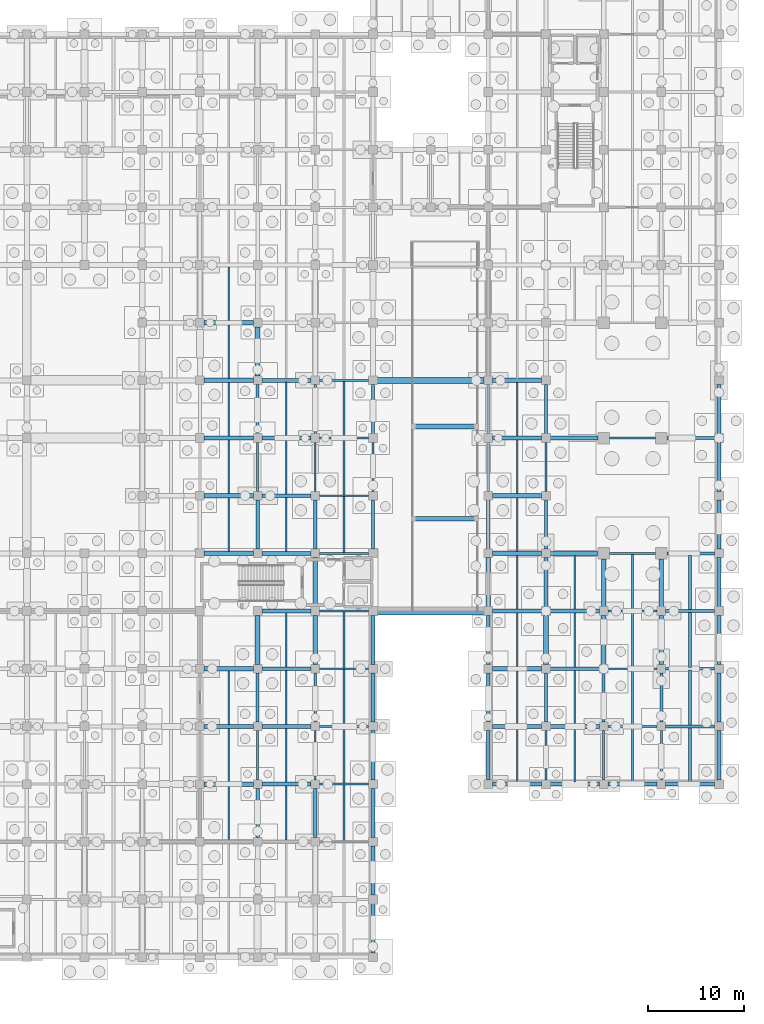
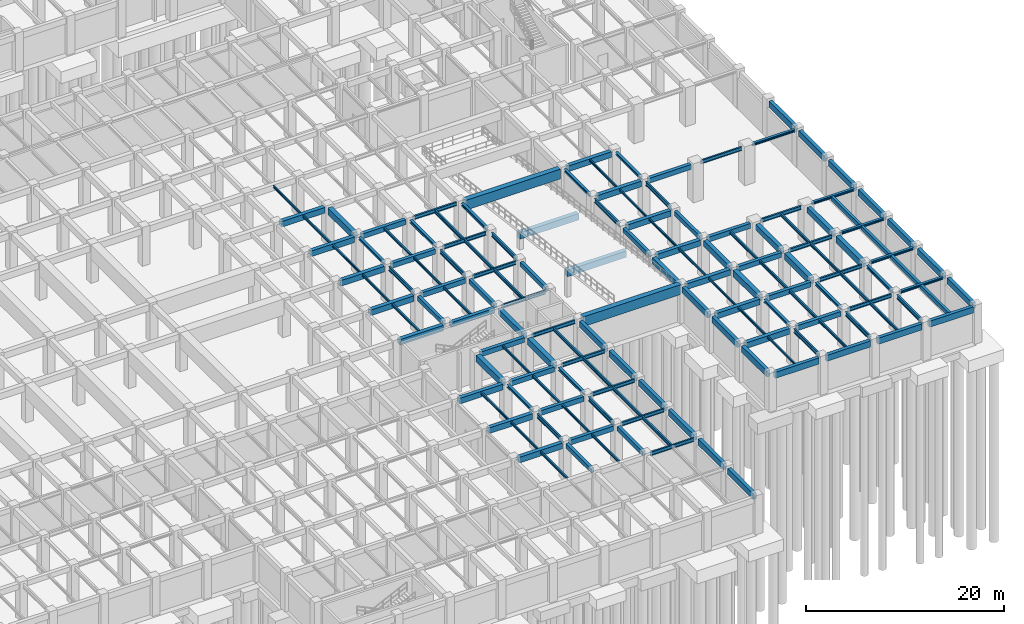
# One storey, part 34 of 54: 150 beams.
"""IFC4 building model written with IfcOpenShell, lengths in metres."""

from ifc_helpers import new_model, si_unit, direction, frame, origin, origin_2d, place, context, subcontext, project, spatial, rectangle, i_section, extrude, material, material_profile, profile_set, type_object, element, save


model = new_model("IFC4")

# Units and contexts
model_context = context("Model", 3, precision=1e-05, world=origin(), true_north=direction((0.0, 1.0)))
body_context = subcontext(model_context, "Body", "Model", "MODEL_VIEW")
ifc_project = project(units=[si_unit("LENGTHUNIT", "METRE"), si_unit("AREAUNIT", "SQUARE_METRE"), si_unit("VOLUMEUNIT", "CUBIC_METRE"), si_unit("PLANEANGLEUNIT", "RADIAN"), si_unit("MASSUNIT", "GRAM", prefix="KILO"), si_unit("THERMODYNAMICTEMPERATUREUNIT", "KELVIN"), si_unit("POWERUNIT", "WATT")], contexts=[model_context])

# Site, building, storey
site_placement = place(None, origin())
site = spatial("IfcSite", under=ifc_project, at=site_placement, CompositionType="ELEMENT")
building_placement = place(site_placement, origin())
building = spatial("IfcBuilding", under=site, at=building_placement, Name="Phaisarnlok Congress Hotel", CompositionType="ELEMENT")
storey_placement = place(building_placement, frame((0.0, 0.0, -4.800048828125)))
storey = spatial("IfcBuildingStorey", under=building, at=storey_placement, Name="B01", CompositionType="ELEMENT", Elevation=-4.800048828125)

# Beams
ifc_material_1 = material(Name="Concrete C40/50", Category="concrete")
ifc_material_profile_1 = material_profile(ifc_material_1, rectangle(XDim=0.35009765625, YDim=0.550048828125, at=origin_2d()), Name="RC 350x550")
ifc_profile_set_1 = profile_set([ifc_material_profile_1], Name="Concrete C40/50")
beam_type_1 = type_object("IfcBeamType", Name="BM-RC-350x550", PredefinedType="BEAM", material=ifc_profile_set_1)
for number, where, z_axis, x_axis, name in (
    (1, (132.0, 12.445068359375, 4.22509765625), (0.0, 1.0, 0.0), (-1.0, 0.0, 0.0), "Beam B-01"),
    (2, (132.0, 42.445068359375, 4.22509765625), (0.0, 1.0, 0.0), (-1.0, 0.0, 0.0), "Beam B-01"),
    (3, (138.0, 12.445068359375, 4.22509765625), (0.0, 1.0, 0.0), (-1.0, 0.0, 0.0), "Beam B-01"),
    (4, (138.0, 42.445068359375, 4.22509765625), (0.0, 1.0, 0.0), (-1.0, 0.0, 0.0), "Beam B-01"),
    (5, (144.0, 42.445068359375, 4.22509765625), (0.0, 1.0, 0.0), (-1.0, 0.0, 0.0), "Beam B-01"),
    (6, (156.0, 42.445068359375, 4.22509765625), (0.0, 1.0, 0.0), (-1.0, 0.0, 0.0), "Beam B-01"),
    (7, (162.0, 42.445068359375, 4.22509765625), (0.0, 1.0, 0.0), (-1.0, 0.0, 0.0), "Beam B-01"),
):
    element("IfcBeam", number, at=place(storey_placement, frame(where, z_axis=z_axis, x_axis=x_axis)), inside=storey, type_object=beam_type_1, Name=name, PredefinedType="BEAM", context=body_context, shape_type="SweptSolid", body=[
        extrude(rectangle(XDim=0.35009765625, YDim=0.550048828125, at=origin_2d()), origin(), (0.0, 0.0, 1.0), 5.10986328125),
    ])
ifc_material_profile_2 = material_profile(ifc_material_1, rectangle(XDim=0.39990234375, YDim=0.60009765625, at=origin_2d()), Name="RC 400x600")
ifc_profile_set_2 = profile_set([ifc_material_profile_2], Name="Concrete C40/50")
beam_type_2 = type_object("IfcBeamType", Name="BM-RC-400x600", PredefinedType="BEAM", material=ifc_profile_set_2)
for number, where, z_axis, x_axis, name in (
    (8, (132.445068359375, 18.0, 4.199951171875), (1.0, 0.0, 0.0), (0.0, 1.0, 0.0), "Beam B-02"),
    (9, (132.445068359375, 24.0, 4.199951171875), (1.0, 0.0, 0.0), (0.0, 1.0, 0.0), "Beam B-02"),
    (10, (132.445068359375, 30.0, 4.199951171875), (1.0, 0.0, 0.0), (0.0, 1.0, 0.0), "Beam B-02"),
    (11, (132.445068359375, 36.0, 4.199951171875), (1.0, 0.0, 0.0), (0.0, 1.0, 0.0), "Beam B-02"),
    (12, (132.445068359375, 42.0, 4.199951171875), (1.0, 0.0, 0.0), (0.0, 1.0, 0.0), "Beam B-02"),
    (13, (132.445068359375, 48.0, 4.199951171875), (1.0, 0.0, 0.0), (0.0, 1.0, 0.0), "Beam B-02"),
    (14, (132.445068359375, 54.0, 4.199951171875), (1.0, 0.0, 0.0), (0.0, 1.0, 0.0), "Beam B-02"),
    (15, (132.445068359375, 60.0, 4.199951171875), (1.0, 0.0, 0.0), (0.0, 1.0, 0.0), "Beam B-02"),
    (16, (162.445068359375, 24.0, 4.199951171875), (1.0, 0.0, 0.0), (0.0, 1.0, 0.0), "Beam B-02"),
    (17, (162.445068359375, 30.0, 4.199951171875), (1.0, 0.0, 0.0), (0.0, 1.0, 0.0), "Beam B-02"),
    (18, (162.445068359375, 36.0, 4.199951171875), (1.0, 0.0, 0.0), (0.0, 1.0, 0.0), "Beam B-02"),
):
    element("IfcBeam", number, at=place(storey_placement, frame(where, z_axis=z_axis, x_axis=x_axis)), inside=storey, type_object=beam_type_2, Name=name, PredefinedType="BEAM", context=body_context, shape_type="SweptSolid", body=[
        extrude(rectangle(XDim=0.39990234375, YDim=0.60009765625, at=origin_2d()), origin(), (0.0, 0.0, 1.0), 5.10986328125),
    ])
for number, where, z_axis, x_axis, name in (
    (19, (162.445068359375, 42.0, 4.199951171875), (1.0, 0.0, 0.0), (0.0, 1.0, 0.0), "Beam B-02"),
    (20, (162.445068359375, 54.0, 4.199951171875), (1.0, 0.0, 0.0), (0.0, 1.0, 0.0), "Beam B-02"),
):
    element("IfcBeam", number, at=place(storey_placement, frame(where, z_axis=z_axis, x_axis=x_axis)), inside=storey, type_object=beam_type_2, Name=name, PredefinedType="BEAM", context=body_context, shape_type="SweptSolid", body=[
        extrude(rectangle(XDim=0.39990234375, YDim=0.60009765625, at=origin_2d()), origin(), (0.0, 0.0, 1.0), 4.9599609375),
    ])
ifc_material_profile_3 = material_profile(ifc_material_1, rectangle(XDim=0.449951171875, YDim=0.699951171875, at=origin_2d()), Name="RC 450x700")
ifc_profile_set_3 = profile_set([ifc_material_profile_3], Name="Concrete C40/50")
beam_type_3 = type_object("IfcBeamType", Name="BM-RC-450x700", PredefinedType="BEAM", material=ifc_profile_set_3)
for number, where, z_axis, x_axis, name in (
    (21, (126.445068359375, 18.0, 4.150146484375), (1.0, 0.0, 0.0), (0.0, 1.0, 0.0), "Beam B-03"),
    (22, (126.445068359375, 24.0, 4.150146484375), (1.0, 0.0, 0.0), (0.0, 1.0, 0.0), "Beam B-03"),
    (23, (126.445068359375, 30.0, 4.150146484375), (1.0, 0.0, 0.0), (0.0, 1.0, 0.0), "Beam B-03"),
    (24, (126.445068359375, 42.0, 4.150146484375), (1.0, 0.0, 0.0), (0.0, 1.0, 0.0), "Beam B-03"),
    (25, (126.445068359375, 48.0, 4.150146484375), (1.0, 0.0, 0.0), (0.0, 1.0, 0.0), "Beam B-03"),
    (26, (126.445068359375, 54.0, 4.150146484375), (1.0, 0.0, 0.0), (0.0, 1.0, 0.0), "Beam B-03"),
    (27, (126.445068359375, 60.0, 4.150146484375), (1.0, 0.0, 0.0), (0.0, 1.0, 0.0), "Beam B-03"),
    (28, (126.445068359375, 66.0, 4.150146484375), (1.0, 0.0, 0.0), (0.0, 1.0, 0.0), "Beam B-03"),
    (29, (138.0, 36.445068359375, 4.150146484375), (0.0, 1.0, 0.0), (-1.0, 0.0, 0.0), "Beam B-03"),
    (30, (156.445068359375, 24.0, 4.150146484375), (1.0, 0.0, 0.0), (0.0, 1.0, 0.0), "Beam B-03"),
    (31, (156.445068359375, 30.0, 4.150146484375), (1.0, 0.0, 0.0), (0.0, 1.0, 0.0), "Beam B-03"),
    (32, (156.445068359375, 36.0, 4.150146484375), (1.0, 0.0, 0.0), (0.0, 1.0, 0.0), "Beam B-03"),
    (33, (156.0, 36.445068359375, 4.150146484375), (0.0, 1.0, 0.0), (-1.0, 0.0, 0.0), "Beam B-03"),
    (34, (156.445068359375, 42.0, 4.150146484375), (1.0, 0.0, 0.0), (0.0, 1.0, 0.0), "Beam B-03"),
    (35, (156.445068359375, 48.0, 4.150146484375), (1.0, 0.0, 0.0), (0.0, 1.0, 0.0), "Beam B-03"),
    (36, (156.445068359375, 54.0, 4.150146484375), (1.0, 0.0, 0.0), (0.0, 1.0, 0.0), "Beam B-03"),
    (37, (156.445068359375, 60.0, 4.150146484375), (1.0, 0.0, 0.0), (0.0, 1.0, 0.0), "Beam B-03"),
    (38, (162.0, 36.445068359375, 4.150146484375), (0.0, 1.0, 0.0), (-1.0, 0.0, 0.0), "Beam B-03"),
):
    element("IfcBeam", number, at=place(storey_placement, frame(where, z_axis=z_axis, x_axis=x_axis)), inside=storey, type_object=beam_type_3, Name=name, PredefinedType="BEAM", context=body_context, shape_type="SweptSolid", body=[
        extrude(rectangle(XDim=0.449951171875, YDim=0.699951171875, at=origin_2d()), origin(), (0.0, 0.0, 1.0), 5.10986328125),
    ])
for number, where, z_axis, x_axis, name in (
    (39, (168.0, 36.445068359375, 4.150146484375), (0.0, 1.0, 0.0), (-1.0, 0.0, 0.0), "Beam B-03"),
    (40, (174.0, 36.445068359375, 4.150146484375), (0.0, 1.0, 0.0), (-1.0, 0.0, 0.0), "Beam B-03"),
):
    element("IfcBeam", number, at=place(storey_placement, frame(where, z_axis=z_axis, x_axis=x_axis)), inside=storey, type_object=beam_type_3, Name=name, PredefinedType="BEAM", context=body_context, shape_type="SweptSolid", body=[
        extrude(rectangle(XDim=0.449951171875, YDim=0.699951171875, at=origin_2d()), origin(), (0.0, 0.0, 1.0), 4.9599609375),
    ])
ifc_material_profile_4 = material_profile(ifc_material_1, rectangle(XDim=0.5, YDim=0.800048828125, at=origin_2d()), Name="RC 500x800")
ifc_profile_set_4 = profile_set([ifc_material_profile_4], Name="Concrete C40/50")
beam_type_4 = type_object("IfcBeamType", Name="BM-RC-500x800", PredefinedType="BEAM", material=ifc_profile_set_4)
for number, where, z_axis, x_axis, name in (
    (41, (148.050048828125, 55.199951171875, 1.719970703125), (1.0, 0.0, 0.0), (0.0, 1.0, 0.0), "Vehicle ramp transverse support girder B-04"),
    (42, (148.050048828125, 45.60009765625, 2.920166015625), (1.0, 0.0, 0.0), (0.0, 1.0, 0.0), "Vehicle ramp transverse support girder B-04"),
):
    element("IfcBeam", number, at=place(storey_placement, frame(where, z_axis=z_axis, x_axis=x_axis)), inside=storey, type_object=beam_type_4, Name=name, PredefinedType="BEAM", context=body_context, shape_type="SweptSolid", body=[
        extrude(rectangle(XDim=0.5, YDim=0.800048828125, at=origin_2d()), origin(), (0.0, 0.0, 1.0), 6.89990234375),
    ])
for number, where, z_axis, x_axis, name in (
    (43, (132.0, 30.445068359375, 4.10009765625), (0.0, 1.0, 0.0), (-1.0, 0.0, 0.0), "Beam B-04"),
    (44, (132.0, 60.445068359375, 4.10009765625), (0.0, 1.0, 0.0), (-1.0, 0.0, 0.0), "Beam B-04"),
    (45, (138.0, 30.445068359375, 4.10009765625), (0.0, 1.0, 0.0), (-1.0, 0.0, 0.0), "Beam B-04"),
    (46, (162.0, 30.445068359375, 4.10009765625), (0.0, 1.0, 0.0), (-1.0, 0.0, 0.0), "Beam B-04"),
    (47, (168.0, 30.445068359375, 4.10009765625), (0.0, 1.0, 0.0), (-1.0, 0.0, 0.0), "Beam B-04"),
    (48, (174.0, 30.445068359375, 4.10009765625), (0.0, 1.0, 0.0), (-1.0, 0.0, 0.0), "Beam B-04"),
):
    element("IfcBeam", number, at=place(storey_placement, frame(where, z_axis=z_axis, x_axis=x_axis)), inside=storey, type_object=beam_type_4, Name=name, PredefinedType="BEAM", context=body_context, shape_type="SweptSolid", body=[
        extrude(rectangle(XDim=0.5, YDim=0.800048828125, at=origin_2d()), origin(), (0.0, 0.0, 1.0), 5.10986328125),
    ])
ifc_material_2 = material(Name="Concrete C50/60", Category="concrete")
ifc_material_profile_5 = material_profile(ifc_material_2, rectangle(XDim=0.60009765625, YDim=1.199951171875, at=origin_2d()), Name="RC 600x1200")
ifc_profile_set_5 = profile_set([ifc_material_profile_5], Name="Concrete C50/60")
beam_type_5 = type_object("IfcBeamType", Name="BM-RC-600x1200", PredefinedType="BEAM", material=ifc_profile_set_5)
beam_1_placement = place(storey_placement, frame((144.445068359375, 60.0, 3.900146484375), z_axis=(1.0, 0.0, 0.0), x_axis=(0.0, 1.0, 0.0)))
element("IfcBeam", 49, at=beam_1_placement, inside=storey, type_object=beam_type_5, Name="Ramp bay 12m girder B-06", PredefinedType="BEAM", context=body_context, shape_type="SweptSolid", body=[
    extrude(rectangle(XDim=0.60009765625, YDim=1.199951171875, at=origin_2d()), origin(), (0.0, 0.0, 1.0), 11.10986328125),
])
beam_2_placement = place(storey_placement, frame((144.300048828125, 35.89990234375, 4.199951171875), z_axis=(1.0, 0.0, 0.0), x_axis=(0.0, 1.0, 0.0)))
element("IfcBeam", 50, at=beam_2_placement, inside=storey, type_object=beam_type_5, Name="Vehicle ramp top header girder B-06", PredefinedType="BEAM", context=body_context, shape_type="SweptSolid", body=[
    extrude(rectangle(XDim=0.60009765625, YDim=1.199951171875, at=origin_2d()), origin(), (0.0, 0.0, 1.0), 11.39990234375),
])
ifc_material_3 = material(Name="Steel S355", Category="steel")
ifc_material_profile_6 = material_profile(ifc_material_3, i_section(OverallWidth=0.300048828125, OverallDepth=0.2900390625, WebThickness=0.008544921875, FlangeThickness=0.013916015625, FilletRadius=0.027099609375, at=origin_2d()), Name="HEA 300")
ifc_profile_set_6 = profile_set([ifc_material_profile_6], Name="Steel S355")
beam_type_6 = type_object("IfcBeamType", Name="BM-STL-HEA300", PredefinedType="BEAM", material=ifc_profile_set_6)
for number, where, z_axis, x_axis, name in (
    (51, (174.445068359375, 24.0, 4.35498046875), (1.0, 0.0, 0.0), (0.0, 1.0, 0.0), "Beam SB-05"),
    (52, (174.445068359375, 30.0, 4.35498046875), (1.0, 0.0, 0.0), (0.0, 1.0, 0.0), "Beam SB-05"),
    (53, (174.445068359375, 36.0, 4.35498046875), (1.0, 0.0, 0.0), (0.0, 1.0, 0.0), "Beam SB-05"),
):
    element("IfcBeam", number, at=place(storey_placement, frame(where, z_axis=z_axis, x_axis=x_axis)), inside=storey, type_object=beam_type_6, Name=name, PredefinedType="BEAM", context=body_context, shape_type="SweptSolid", body=[
        extrude(i_section(OverallWidth=0.300048828125, OverallDepth=0.2900390625, WebThickness=0.008544921875, FlangeThickness=0.013916015625, FilletRadius=0.027099609375, at=origin_2d()), origin(), (0.0, 0.0, 1.0), 5.10986328125),
    ])
for number, where, z_axis, x_axis, name in (
    (54, (174.594970703125, 42.0, 4.35498046875), (1.0, 0.0, 0.0), (0.0, 1.0, 0.0), "Beam SB-05"),
    (55, (174.594970703125, 54.0, 4.35498046875), (1.0, 0.0, 0.0), (0.0, 1.0, 0.0), "Beam SB-05"),
):
    element("IfcBeam", number, at=place(storey_placement, frame(where, z_axis=z_axis, x_axis=x_axis)), inside=storey, type_object=beam_type_6, Name=name, PredefinedType="BEAM", context=body_context, shape_type="SweptSolid", body=[
        extrude(i_section(OverallWidth=0.300048828125, OverallDepth=0.2900390625, WebThickness=0.008544921875, FlangeThickness=0.013916015625, FilletRadius=0.027099609375, at=origin_2d()), origin(), (0.0, 0.0, 1.0), 4.9599609375),
    ])
ifc_material_profile_7 = material_profile(ifc_material_3, i_section(OverallWidth=0.300048828125, OverallDepth=0.340087890625, WebThickness=0.011962890625, FlangeThickness=0.021484375, FilletRadius=0.027099609375, at=origin_2d()), Name="HEB 340")
ifc_profile_set_7 = profile_set([ifc_material_profile_7], Name="Steel S355")
beam_type_7 = type_object("IfcBeamType", Name="BM-STL-HEB340", PredefinedType="BEAM", material=ifc_profile_set_7)
for number, where, z_axis, x_axis, name in (
    (56, (132.0, 24.445068359375, 4.330078125), (0.0, 1.0, 0.0), (-1.0, 0.0, 0.0), "Beam SB-07"),
    (57, (132.0, 54.445068359375, 4.330078125), (0.0, 1.0, 0.0), (-1.0, 0.0, 0.0), "Beam SB-07"),
    (58, (138.0, 24.445068359375, 4.330078125), (0.0, 1.0, 0.0), (-1.0, 0.0, 0.0), "Beam SB-07"),
    (59, (138.0, 54.445068359375, 4.330078125), (0.0, 1.0, 0.0), (-1.0, 0.0, 0.0), "Beam SB-07"),
    (60, (144.0, 54.445068359375, 4.330078125), (0.0, 1.0, 0.0), (-1.0, 0.0, 0.0), "Beam SB-07"),
    (61, (156.0, 54.445068359375, 4.330078125), (0.0, 1.0, 0.0), (-1.0, 0.0, 0.0), "Beam SB-07"),
    (62, (162.0, 24.445068359375, 4.330078125), (0.0, 1.0, 0.0), (-1.0, 0.0, 0.0), "Beam SB-07"),
    (63, (162.0, 54.445068359375, 4.330078125), (0.0, 1.0, 0.0), (-1.0, 0.0, 0.0), "Beam SB-07"),
    (64, (168.0, 24.445068359375, 4.330078125), (0.0, 1.0, 0.0), (-1.0, 0.0, 0.0), "Beam SB-07"),
    (65, (174.0, 24.445068359375, 4.330078125), (0.0, 1.0, 0.0), (-1.0, 0.0, 0.0), "Beam SB-07"),
):
    element("IfcBeam", number, at=place(storey_placement, frame(where, z_axis=z_axis, x_axis=x_axis)), inside=storey, type_object=beam_type_7, Name=name, PredefinedType="BEAM", context=body_context, shape_type="SweptSolid", body=[
        extrude(i_section(OverallWidth=0.300048828125, OverallDepth=0.340087890625, WebThickness=0.011962890625, FlangeThickness=0.021484375, FilletRadius=0.027099609375, at=origin_2d()), origin(), (0.0, 0.0, 1.0), 5.10986328125),
    ])
ifc_material_profile_8 = material_profile(ifc_material_3, i_section(OverallWidth=0.18994140625, OverallDepth=0.449951171875, WebThickness=0.009521484375, FlangeThickness=0.0146484375, FilletRadius=0.02099609375, at=origin_2d()), Name="IPE 450")
ifc_profile_set_8 = profile_set([ifc_material_profile_8], Name="Steel S355")
beam_type_8 = type_object("IfcBeamType", Name="BM-STL-IPE450", PredefinedType="BEAM", material=ifc_profile_set_8)
for number, where, z_axis, x_axis, name in (
    (66, (138.445068359375, 12.0, 4.275146484375), (1.0, 0.0, 0.0), (0.0, 1.0, 0.0), "Beam SB-01"),
    (67, (138.445068359375, 18.0, 4.275146484375), (1.0, 0.0, 0.0), (0.0, 1.0, 0.0), "Beam SB-01"),
    (68, (138.445068359375, 24.0, 4.275146484375), (1.0, 0.0, 0.0), (0.0, 1.0, 0.0), "Beam SB-01"),
    (69, (138.445068359375, 30.0, 4.275146484375), (1.0, 0.0, 0.0), (0.0, 1.0, 0.0), "Beam SB-01"),
    (70, (138.445068359375, 36.0, 4.275146484375), (1.0, 0.0, 0.0), (0.0, 1.0, 0.0), "Beam SB-01"),
    (71, (138.445068359375, 42.0, 4.275146484375), (1.0, 0.0, 0.0), (0.0, 1.0, 0.0), "Beam SB-01"),
    (72, (138.445068359375, 48.0, 4.275146484375), (1.0, 0.0, 0.0), (0.0, 1.0, 0.0), "Beam SB-01"),
    (73, (138.445068359375, 54.0, 4.275146484375), (1.0, 0.0, 0.0), (0.0, 1.0, 0.0), "Beam SB-01"),
    (74, (138.445068359375, 60.0, 4.275146484375), (1.0, 0.0, 0.0), (0.0, 1.0, 0.0), "Beam SB-01"),
    (75, (168.445068359375, 24.0, 4.275146484375), (1.0, 0.0, 0.0), (0.0, 1.0, 0.0), "Beam SB-01"),
    (76, (168.445068359375, 30.0, 4.275146484375), (1.0, 0.0, 0.0), (0.0, 1.0, 0.0), "Beam SB-01"),
    (77, (168.445068359375, 36.0, 4.275146484375), (1.0, 0.0, 0.0), (0.0, 1.0, 0.0), "Beam SB-01"),
):
    element("IfcBeam", number, at=place(storey_placement, frame(where, z_axis=z_axis, x_axis=x_axis)), inside=storey, type_object=beam_type_8, Name=name, PredefinedType="BEAM", context=body_context, shape_type="SweptSolid", body=[
        extrude(i_section(OverallWidth=0.18994140625, OverallDepth=0.449951171875, WebThickness=0.009521484375, FlangeThickness=0.0146484375, FilletRadius=0.02099609375, at=origin_2d()), origin(), (0.0, 0.0, 1.0), 5.10986328125),
    ])
for number, where, z_axis, x_axis, name in (
    (78, (168.594970703125, 42.0, 4.275146484375), (1.0, 0.0, 0.0), (0.0, 1.0, 0.0), "Beam SB-01"),
    (79, (168.594970703125, 54.0, 4.275146484375), (1.0, 0.0, 0.0), (0.0, 1.0, 0.0), "Beam SB-01"),
):
    element("IfcBeam", number, at=place(storey_placement, frame(where, z_axis=z_axis, x_axis=x_axis)), inside=storey, type_object=beam_type_8, Name=name, PredefinedType="BEAM", context=body_context, shape_type="SweptSolid", body=[
        extrude(i_section(OverallWidth=0.18994140625, OverallDepth=0.449951171875, WebThickness=0.009521484375, FlangeThickness=0.0146484375, FilletRadius=0.02099609375, at=origin_2d()), origin(), (0.0, 0.0, 1.0), 4.81005859375),
    ])
ifc_material_profile_9 = material_profile(ifc_material_3, i_section(OverallWidth=0.199951171875, OverallDepth=0.5, WebThickness=0.01025390625, FlangeThickness=0.01611328125, FilletRadius=0.02099609375, at=origin_2d()), Name="IPE 500")
ifc_profile_set_9 = profile_set([ifc_material_profile_9], Name="Steel S355")
beam_type_9 = type_object("IfcBeamType", Name="BM-STL-IPE500", PredefinedType="BEAM", material=ifc_profile_set_9)
for number, where, z_axis, x_axis, name in (
    (80, (132.0, 18.445068359375, 4.25), (0.0, 1.0, 0.0), (-1.0, 0.0, 0.0), "Beam SB-02"),
    (81, (132.0, 48.445068359375, 4.25), (0.0, 1.0, 0.0), (-1.0, 0.0, 0.0), "Beam SB-02"),
    (82, (138.0, 18.445068359375, 4.25), (0.0, 1.0, 0.0), (-1.0, 0.0, 0.0), "Beam SB-02"),
    (83, (138.0, 48.445068359375, 4.25), (0.0, 1.0, 0.0), (-1.0, 0.0, 0.0), "Beam SB-02"),
    (84, (144.0, 48.445068359375, 4.25), (0.0, 1.0, 0.0), (-1.0, 0.0, 0.0), "Beam SB-02"),
    (85, (156.0, 48.445068359375, 4.25), (0.0, 1.0, 0.0), (-1.0, 0.0, 0.0), "Beam SB-02"),
    (86, (162.0, 18.445068359375, 4.25), (0.0, 1.0, 0.0), (-1.0, 0.0, 0.0), "Beam SB-02"),
    (87, (162.0, 48.445068359375, 4.25), (0.0, 1.0, 0.0), (-1.0, 0.0, 0.0), "Beam SB-02"),
    (88, (168.0, 18.445068359375, 4.25), (0.0, 1.0, 0.0), (-1.0, 0.0, 0.0), "Beam SB-02"),
    (89, (174.0, 18.445068359375, 4.25), (0.0, 1.0, 0.0), (-1.0, 0.0, 0.0), "Beam SB-02"),
):
    element("IfcBeam", number, at=place(storey_placement, frame(where, z_axis=z_axis, x_axis=x_axis)), inside=storey, type_object=beam_type_9, Name=name, PredefinedType="BEAM", context=body_context, shape_type="SweptSolid", body=[
        extrude(i_section(OverallWidth=0.199951171875, OverallDepth=0.5, WebThickness=0.01025390625, FlangeThickness=0.01611328125, FilletRadius=0.02099609375, at=origin_2d()), origin(), (0.0, 0.0, 1.0), 5.10986328125),
    ])
ifc_material_profile_10 = material_profile(ifc_material_1, rectangle(XDim=0.300048828125, YDim=0.5, at=origin_2d()), Name="RC 300x500")
ifc_profile_set_10 = profile_set([ifc_material_profile_10], Name="Concrete C40/50")
beam_type_10 = type_object("IfcBeamType", Name="JS-RC-300x500", PredefinedType="JOIST", material=ifc_profile_set_10)
beam_3_placement = place(storey_placement, frame((177.0, 18.195068359375, 4.25), z_axis=(0.0, 1.0, 0.0), x_axis=(-1.0, 0.0, 0.0)))
element("IfcBeam", 90, at=beam_3_placement, inside=storey, type_object=beam_type_10, Name="Secondary floor joist J-01", PredefinedType="JOIST", context=body_context, shape_type="SweptSolid", body=[
    extrude(rectangle(XDim=0.300048828125, YDim=0.5, at=origin_2d()), origin(), (0.0, 0.0, 1.0), 5.659912109375),
])
for number, where, z_axis, x_axis, name in (
    (91, (177.0, 24.14501953125, 4.25), (0.0, 1.0, 0.0), (-1.0, 0.0, 0.0), "Secondary floor joist J-01"),
    (92, (177.0, 30.14501953125, 4.25), (0.0, 1.0, 0.0), (-1.0, 0.0, 0.0), "Secondary floor joist J-01"),
    (93, (177.0, 36.14501953125, 4.25), (0.0, 1.0, 0.0), (-1.0, 0.0, 0.0), "Secondary floor joist J-01"),
):
    element("IfcBeam", number, at=place(storey_placement, frame(where, z_axis=z_axis, x_axis=x_axis)), inside=storey, type_object=beam_type_10, Name=name, PredefinedType="JOIST", context=body_context, shape_type="SweptSolid", body=[
        extrude(rectangle(XDim=0.300048828125, YDim=0.5, at=origin_2d()), origin(), (0.0, 0.0, 1.0), 5.7099609375),
    ])
ifc_material_profile_11 = material_profile(ifc_material_3, i_section(OverallWidth=0.135009765625, OverallDepth=0.27001953125, WebThickness=0.006591796875, FlangeThickness=0.01025390625, FilletRadius=0.014892578125, at=origin_2d()), Name="IPE 270")
ifc_profile_set_11 = profile_set([ifc_material_profile_11], Name="Steel S355")
beam_type_11 = type_object("IfcBeamType", Name="JS-STL-IPE270", PredefinedType="JOIST", material=ifc_profile_set_11)
beam_4_placement = place(storey_placement, frame((159.0, 18.195068359375, 4.364990234375), z_axis=(0.0, 1.0, 0.0), x_axis=(-1.0, 0.0, 0.0)))
element("IfcBeam", 94, at=beam_4_placement, inside=storey, type_object=beam_type_11, Name="Secondary floor joist J-02", PredefinedType="JOIST", context=body_context, shape_type="SweptSolid", body=[
    extrude(i_section(OverallWidth=0.135009765625, OverallDepth=0.27001953125, WebThickness=0.006591796875, FlangeThickness=0.01025390625, FilletRadius=0.014892578125, at=origin_2d()), origin(), (0.0, 0.0, 1.0), 5.5849609375),
])
for number, where, z_axis, x_axis, name in (
    (95, (159.0, 24.219970703125, 4.364990234375), (0.0, 1.0, 0.0), (-1.0, 0.0, 0.0), "Secondary floor joist J-02"),
    (96, (159.0, 30.219970703125, 4.364990234375), (0.0, 1.0, 0.0), (-1.0, 0.0, 0.0), "Secondary floor joist J-02"),
    (97, (159.0, 36.219970703125, 4.364990234375), (0.0, 1.0, 0.0), (-1.0, 0.0, 0.0), "Secondary floor joist J-02"),
    (98, (159.0, 42.219970703125, 4.364990234375), (0.0, 1.0, 0.0), (-1.0, 0.0, 0.0), "Secondary floor joist J-02"),
    (99, (159.0, 48.219970703125, 4.364990234375), (0.0, 1.0, 0.0), (-1.0, 0.0, 0.0), "Secondary floor joist J-02"),
    (100, (159.0, 54.219970703125, 4.364990234375), (0.0, 1.0, 0.0), (-1.0, 0.0, 0.0), "Secondary floor joist J-02"),
):
    element("IfcBeam", number, at=place(storey_placement, frame(where, z_axis=z_axis, x_axis=x_axis)), inside=storey, type_object=beam_type_11, Name=name, PredefinedType="JOIST", context=body_context, shape_type="SweptSolid", body=[
        extrude(i_section(OverallWidth=0.135009765625, OverallDepth=0.27001953125, WebThickness=0.006591796875, FlangeThickness=0.01025390625, FilletRadius=0.014892578125, at=origin_2d()), origin(), (0.0, 0.0, 1.0), 5.56005859375),
    ])
ifc_material_profile_12 = material_profile(ifc_material_3, i_section(OverallWidth=0.14990234375, OverallDepth=0.300048828125, WebThickness=0.007080078125, FlangeThickness=0.0107421875, FilletRadius=0.014892578125, at=origin_2d()), Name="IPE 300")
ifc_profile_set_12 = profile_set([ifc_material_profile_12], Name="Steel S355")
beam_type_12 = type_object("IfcBeamType", Name="JS-STL-IPE300", PredefinedType="JOIST", material=ifc_profile_set_12)
for number, where, z_axis, x_axis, name in (
    (101, (129.0, 12.219970703125, 4.35009765625), (0.0, 1.0, 0.0), (-1.0, 0.0, 0.0), "Secondary floor joist J-03"),
    (102, (129.0, 18.219970703125, 4.35009765625), (0.0, 1.0, 0.0), (-1.0, 0.0, 0.0), "Secondary floor joist J-03"),
    (103, (129.0, 24.219970703125, 4.35009765625), (0.0, 1.0, 0.0), (-1.0, 0.0, 0.0), "Secondary floor joist J-03"),
    (104, (129.0, 42.219970703125, 4.35009765625), (0.0, 1.0, 0.0), (-1.0, 0.0, 0.0), "Secondary floor joist J-03"),
    (105, (129.0, 48.219970703125, 4.35009765625), (0.0, 1.0, 0.0), (-1.0, 0.0, 0.0), "Secondary floor joist J-03"),
    (106, (129.0, 54.219970703125, 4.35009765625), (0.0, 1.0, 0.0), (-1.0, 0.0, 0.0), "Secondary floor joist J-03"),
    (107, (129.0, 60.219970703125, 4.35009765625), (0.0, 1.0, 0.0), (-1.0, 0.0, 0.0), "Secondary floor joist J-03"),
    (108, (129.0, 66.219970703125, 4.35009765625), (0.0, 1.0, 0.0), (-1.0, 0.0, 0.0), "Secondary floor joist J-03"),
):
    element("IfcBeam", number, at=place(storey_placement, frame(where, z_axis=z_axis, x_axis=x_axis)), inside=storey, type_object=beam_type_12, Name=name, PredefinedType="JOIST", context=body_context, shape_type="SweptSolid", body=[
        extrude(i_section(OverallWidth=0.14990234375, OverallDepth=0.300048828125, WebThickness=0.007080078125, FlangeThickness=0.0107421875, FilletRadius=0.014892578125, at=origin_2d()), origin(), (0.0, 0.0, 1.0), 5.56005859375),
    ])
for number, where, z_axis, x_axis, name in (
    (109, (135.0, 12.195068359375, 4.35009765625), (0.0, 1.0, 0.0), (-1.0, 0.0, 0.0), "Secondary floor joist J-03"),
    (110, (135.0, 18.195068359375, 4.35009765625), (0.0, 1.0, 0.0), (-1.0, 0.0, 0.0), "Secondary floor joist J-03"),
    (111, (135.0, 24.195068359375, 4.35009765625), (0.0, 1.0, 0.0), (-1.0, 0.0, 0.0), "Secondary floor joist J-03"),
    (112, (135.0, 30.195068359375, 4.35009765625), (0.0, 1.0, 0.0), (-1.0, 0.0, 0.0), "Secondary floor joist J-03"),
    (113, (135.0, 42.195068359375, 4.35009765625), (0.0, 1.0, 0.0), (-1.0, 0.0, 0.0), "Secondary floor joist J-03"),
    (114, (135.0, 48.195068359375, 4.35009765625), (0.0, 1.0, 0.0), (-1.0, 0.0, 0.0), "Secondary floor joist J-03"),
    (115, (135.0, 54.195068359375, 4.35009765625), (0.0, 1.0, 0.0), (-1.0, 0.0, 0.0), "Secondary floor joist J-03"),
):
    element("IfcBeam", number, at=place(storey_placement, frame(where, z_axis=z_axis, x_axis=x_axis)), inside=storey, type_object=beam_type_12, Name=name, PredefinedType="JOIST", context=body_context, shape_type="SweptSolid", body=[
        extrude(i_section(OverallWidth=0.14990234375, OverallDepth=0.300048828125, WebThickness=0.007080078125, FlangeThickness=0.0107421875, FilletRadius=0.014892578125, at=origin_2d()), origin(), (0.0, 0.0, 1.0), 5.60986328125),
    ])
ifc_material_profile_13 = material_profile(ifc_material_3, i_section(OverallWidth=0.169921875, OverallDepth=0.360107421875, WebThickness=0.008056640625, FlangeThickness=0.0126953125, FilletRadius=0.01806640625, at=origin_2d()), Name="IPE 360")
ifc_profile_set_13 = profile_set([ifc_material_profile_13], Name="Steel S355")
beam_type_13 = type_object("IfcBeamType", Name="JS-STL-IPE360", PredefinedType="JOIST", material=ifc_profile_set_13)
for number, where, z_axis, x_axis, name in (
    (116, (165.0, 18.195068359375, 4.320068359375), (0.0, 1.0, 0.0), (-1.0, 0.0, 0.0), "Secondary floor joist J-04"),
    (117, (165.0, 24.195068359375, 4.320068359375), (0.0, 1.0, 0.0), (-1.0, 0.0, 0.0), "Secondary floor joist J-04"),
    (118, (165.0, 30.195068359375, 4.320068359375), (0.0, 1.0, 0.0), (-1.0, 0.0, 0.0), "Secondary floor joist J-04"),
    (119, (165.0, 36.195068359375, 4.320068359375), (0.0, 1.0, 0.0), (-1.0, 0.0, 0.0), "Secondary floor joist J-04"),
):
    element("IfcBeam", number, at=place(storey_placement, frame(where, z_axis=z_axis, x_axis=x_axis)), inside=storey, type_object=beam_type_13, Name=name, PredefinedType="JOIST", context=body_context, shape_type="SweptSolid", body=[
        extrude(i_section(OverallWidth=0.169921875, OverallDepth=0.360107421875, WebThickness=0.008056640625, FlangeThickness=0.0126953125, FilletRadius=0.01806640625, at=origin_2d()), origin(), (0.0, 0.0, 1.0), 5.60986328125),
    ])
beam_5_placement = place(storey_placement, frame((171.0, 18.195068359375, 4.320068359375), z_axis=(0.0, 1.0, 0.0), x_axis=(-1.0, 0.0, 0.0)))
element("IfcBeam", 120, at=beam_5_placement, inside=storey, type_object=beam_type_13, Name="Secondary floor joist J-04", PredefinedType="JOIST", context=body_context, shape_type="SweptSolid", body=[
    extrude(i_section(OverallWidth=0.169921875, OverallDepth=0.360107421875, WebThickness=0.008056640625, FlangeThickness=0.0126953125, FilletRadius=0.01806640625, at=origin_2d()), origin(), (0.0, 0.0, 1.0), 5.71484375),
])
for number, where, z_axis, x_axis, name in (
    (121, (171.0, 24.090087890625, 4.320068359375), (0.0, 1.0, 0.0), (-1.0, 0.0, 0.0), "Secondary floor joist J-04"),
    (122, (171.0, 30.090087890625, 4.320068359375), (0.0, 1.0, 0.0), (-1.0, 0.0, 0.0), "Secondary floor joist J-04"),
    (123, (171.0, 36.090087890625, 4.320068359375), (0.0, 1.0, 0.0), (-1.0, 0.0, 0.0), "Secondary floor joist J-04"),
):
    element("IfcBeam", number, at=place(storey_placement, frame(where, z_axis=z_axis, x_axis=x_axis)), inside=storey, type_object=beam_type_13, Name=name, PredefinedType="JOIST", context=body_context, shape_type="SweptSolid", body=[
        extrude(i_section(OverallWidth=0.169921875, OverallDepth=0.360107421875, WebThickness=0.008056640625, FlangeThickness=0.0126953125, FilletRadius=0.01806640625, at=origin_2d()), origin(), (0.0, 0.0, 1.0), 5.81982421875),
    ])
ifc_material_profile_14 = material_profile(ifc_material_3, i_section(OverallWidth=0.179931640625, OverallDepth=0.39990234375, WebThickness=0.008544921875, FlangeThickness=0.013427734375, FilletRadius=0.02099609375, at=origin_2d()), Name="IPE 400")
ifc_profile_set_14 = profile_set([ifc_material_profile_14], Name="Steel S355")
beam_type_14 = type_object("IfcBeamType", Name="JS-STL-IPE400", PredefinedType="JOIST", material=ifc_profile_set_14)
for number, where, z_axis, x_axis, name in (
    (124, (141.0, 12.090087890625, 4.300048828125), (0.0, 1.0, 0.0), (-1.0, 0.0, 0.0), "Secondary floor joist J-05"),
    (125, (141.0, 18.090087890625, 4.300048828125), (0.0, 1.0, 0.0), (-1.0, 0.0, 0.0), "Secondary floor joist J-05"),
    (126, (141.0, 24.090087890625, 4.300048828125), (0.0, 1.0, 0.0), (-1.0, 0.0, 0.0), "Secondary floor joist J-05"),
    (127, (141.0, 30.090087890625, 4.300048828125), (0.0, 1.0, 0.0), (-1.0, 0.0, 0.0), "Secondary floor joist J-05"),
    (128, (141.0, 42.090087890625, 4.300048828125), (0.0, 1.0, 0.0), (-1.0, 0.0, 0.0), "Secondary floor joist J-05"),
    (129, (141.0, 48.090087890625, 4.300048828125), (0.0, 1.0, 0.0), (-1.0, 0.0, 0.0), "Secondary floor joist J-05"),
    (130, (141.0, 54.090087890625, 4.300048828125), (0.0, 1.0, 0.0), (-1.0, 0.0, 0.0), "Secondary floor joist J-05"),
):
    element("IfcBeam", number, at=place(storey_placement, frame(where, z_axis=z_axis, x_axis=x_axis)), inside=storey, type_object=beam_type_14, Name=name, PredefinedType="JOIST", context=body_context, shape_type="SweptSolid", body=[
        extrude(i_section(OverallWidth=0.179931640625, OverallDepth=0.39990234375, WebThickness=0.008544921875, FlangeThickness=0.013427734375, FilletRadius=0.02099609375, at=origin_2d()), origin(), (0.0, 0.0, 1.0), 5.81982421875),
    ])
ifc_material_profile_15 = material_profile(ifc_material_1, rectangle(XDim=0.39990234375, YDim=0.75, at=origin_2d()), Name="RC 400x750")
ifc_profile_set_15 = profile_set([ifc_material_profile_15], Name="Concrete C40/50")
beam_type_15 = type_object("IfcBeamType", Name="SP-RC-400x750", PredefinedType="SPANDREL", material=ifc_profile_set_15)
for number, where, z_axis, x_axis, name in (
    (131, (144.0, 0.445068359375, 4.125), (0.0, 1.0, 0.0), (-1.0, 0.0, 0.0), "Beam SP-02"),
    (132, (144.0, 6.445068359375, 4.125), (0.0, 1.0, 0.0), (-1.0, 0.0, 0.0), "Beam SP-02"),
    (133, (144.0, 12.445068359375, 4.125), (0.0, 1.0, 0.0), (-1.0, 0.0, 0.0), "Beam SP-02"),
    (134, (144.0, 18.445068359375, 4.125), (0.0, 1.0, 0.0), (-1.0, 0.0, 0.0), "Beam SP-02"),
    (135, (144.0, 24.445068359375, 4.125), (0.0, 1.0, 0.0), (-1.0, 0.0, 0.0), "Beam SP-02"),
    (136, (144.0, 30.445068359375, 4.125), (0.0, 1.0, 0.0), (-1.0, 0.0, 0.0), "Beam SP-02"),
    (137, (156.445068359375, 18.0, 4.125), (1.0, 0.0, 0.0), (0.0, 1.0, 0.0), "Beam SP-02"),
    (138, (156.0, 18.445068359375, 4.125), (0.0, 1.0, 0.0), (-1.0, 0.0, 0.0), "Beam SP-02"),
    (139, (156.0, 24.445068359375, 4.125), (0.0, 1.0, 0.0), (-1.0, 0.0, 0.0), "Beam SP-02"),
    (140, (156.0, 30.445068359375, 4.125), (0.0, 1.0, 0.0), (-1.0, 0.0, 0.0), "Beam SP-02"),
    (141, (162.445068359375, 18.0, 4.125), (1.0, 0.0, 0.0), (0.0, 1.0, 0.0), "Beam SP-02"),
    (142, (168.445068359375, 18.0, 4.125), (1.0, 0.0, 0.0), (0.0, 1.0, 0.0), "Beam SP-02"),
    (143, (174.445068359375, 18.0, 4.125), (1.0, 0.0, 0.0), (0.0, 1.0, 0.0), "Beam SP-02"),
    (144, (180.0, 18.445068359375, 4.125), (0.0, 1.0, 0.0), (-1.0, 0.0, 0.0), "Beam SP-02"),
    (145, (180.0, 24.445068359375, 4.125), (0.0, 1.0, 0.0), (-1.0, 0.0, 0.0), "Beam SP-02"),
    (146, (180.0, 30.445068359375, 4.125), (0.0, 1.0, 0.0), (-1.0, 0.0, 0.0), "Beam SP-02"),
    (147, (180.0, 36.445068359375, 4.125), (0.0, 1.0, 0.0), (-1.0, 0.0, 0.0), "Beam SP-02"),
    (148, (180.0, 42.445068359375, 4.125), (0.0, 1.0, 0.0), (-1.0, 0.0, 0.0), "Beam SP-02"),
    (149, (180.0, 48.445068359375, 4.125), (0.0, 1.0, 0.0), (-1.0, 0.0, 0.0), "Beam SP-02"),
    (150, (180.0, 54.445068359375, 4.125), (0.0, 1.0, 0.0), (-1.0, 0.0, 0.0), "Beam SP-02"),
):
    element("IfcBeam", number, at=place(storey_placement, frame(where, z_axis=z_axis, x_axis=x_axis)), inside=storey, type_object=beam_type_15, Name=name, PredefinedType="SPANDREL", context=body_context, shape_type="SweptSolid", body=[
        extrude(rectangle(XDim=0.39990234375, YDim=0.75, at=origin_2d()), origin(), (0.0, 0.0, 1.0), 5.10986328125),
    ])

save(model, "model.ifc")
